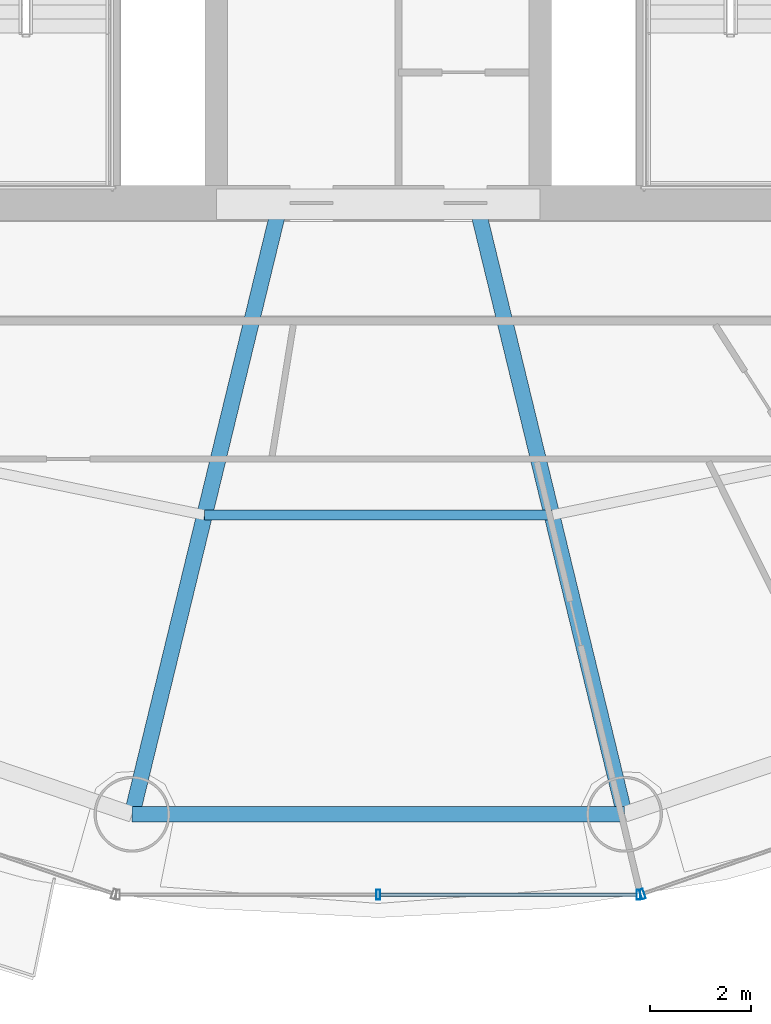
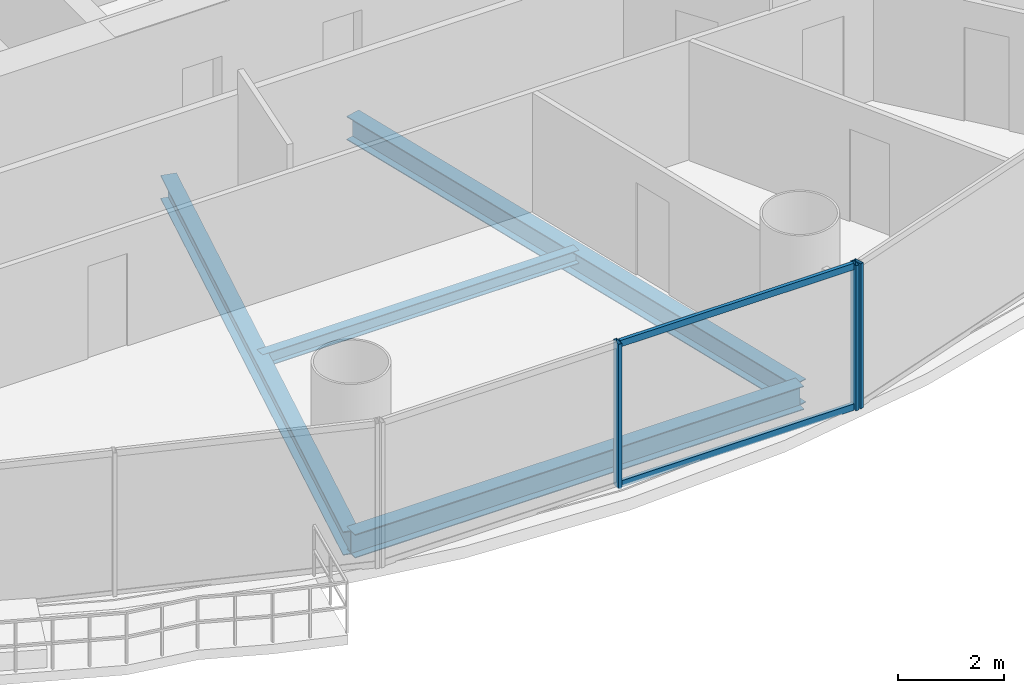
# One storey, part 5 of 29: 5 members, 4 beams, 2 elements without a shape of their own.
"""IFC4 building model written with IfcOpenShell, lengths in metres."""

from ifc_helpers import new_model, si_unit, direction, frame, origin, origin_2d, place, context, subcontext, project, spatial, hollow_rectangle, i_section, extrude, source, transform, mapped, material, material_profile, profile_set, type_object, element, aggregate, save


model = new_model("IFC4")

# Units and contexts
model_context = context("Model", 3, precision=1e-05, world=origin(), true_north=direction((-0.2419218956, 0.970295726276)))
body_context = subcontext(model_context, "Body", "Model", "MODEL_VIEW")
ifc_project = project(units=[si_unit("LENGTHUNIT", "METRE"), si_unit("AREAUNIT", "SQUARE_METRE"), si_unit("VOLUMEUNIT", "CUBIC_METRE"), si_unit("PLANEANGLEUNIT", "RADIAN"), si_unit("MASSUNIT", "GRAM", prefix="KILO")], contexts=[model_context])

# Site, building, storey
site_placement = place(None, origin())
site = spatial("IfcSite", under=ifc_project, at=site_placement, CompositionType="ELEMENT")
building_placement = place(site_placement, origin())
building = spatial("IfcBuilding", under=site, at=building_placement, Name="Cobrevalo Terracotta Tower", CompositionType="ELEMENT")
storey_placement = place(building_placement, frame((0.0, 0.0, 115.800048828125)))
storey = spatial("IfcBuildingStorey", under=building, at=storey_placement, Name="L30", CompositionType="ELEMENT", Elevation=115.800048828125)

# Beams
ifc_material_1 = material(Name="Steel S355", Category="steel")
ifc_material_profile_1 = material_profile(ifc_material_1, i_section(OverallWidth=0.31201171875, OverallDepth=0.54296875, WebThickness=0.0126953125, FlangeThickness=0.020263671875, at=origin_2d()), Name="W 530x150")
ifc_profile_set_1 = profile_set([ifc_material_profile_1], Name="Steel S355")
beam_type_1 = type_object("IfcBeamType", Name="Structural Beam W 530x150 (Steel S355)", PredefinedType="BEAM", material=ifc_profile_set_1)
for number, where, z_axis, x_axis, name in (
    (1, (33.132568359375, 6.742919921875, -0.546630859375), (0.235827379387, 0.971794961467, 0.0), (-0.971794961467, 0.235827379387, 0.0), "L30 radial floor girder 12"),
    (2, (42.867431640625, 6.742919921875, -0.546630859375), (-0.235827379387, 0.971794961467, 0.0), (-0.971794961467, -0.235827379387, 0.0), "L30 radial floor girder 13"),
):
    element("IfcBeam", number, at=place(storey_placement, frame(where, z_axis=z_axis, x_axis=x_axis)), inside=storey, type_object=beam_type_1, Name=name, PredefinedType="BEAM", context=body_context, shape_type="SweptSolid", body=[
        extrude(i_section(OverallWidth=0.31201171875, OverallDepth=0.54296875, WebThickness=0.0126953125, FlangeThickness=0.020263671875, at=origin_2d()), origin(), (0.0, 0.0, 1.0), 12.17041015625),
    ])
ifc_material_profile_2 = material_profile(ifc_material_1, i_section(OverallWidth=0.2041015625, OverallDepth=0.305908203125, WebThickness=0.008544921875, FlangeThickness=0.0146484375, at=origin_2d()), Name="W 310x67")
ifc_profile_set_2 = profile_set([ifc_material_profile_2], Name="Steel S355")
beam_type_2 = type_object("IfcBeamType", Name="Structural Joist W 310x67 (Steel S355)", PredefinedType="JOIST", material=ifc_profile_set_2)
beam_1_placement = place(storey_placement, frame((34.567626953125, 12.656494140625, -0.427978515625), z_axis=(1.0, 0.0, 0.0), x_axis=(0.0, 1.0, 0.0)))
element("IfcBeam", 3, at=beam_1_placement, inside=storey, type_object=beam_type_2, Name="L30 circumferential secondary floor joist 12", PredefinedType="JOIST", context=body_context, shape_type="SweptSolid", body=[
    extrude(i_section(OverallWidth=0.2041015625, OverallDepth=0.305908203125, WebThickness=0.008544921875, FlangeThickness=0.0146484375, at=origin_2d()), origin(), (0.0, 0.0, 1.0), 6.86474609375),
])
ifc_material_profile_3 = material_profile(ifc_material_1, i_section(OverallWidth=0.31201171875, OverallDepth=0.54296875, WebThickness=0.0126953125, FlangeThickness=0.020263671875, at=origin_2d()), Name="W 530x150")
ifc_profile_set_3 = profile_set([ifc_material_profile_3], Name="Steel S355")
beam_type_3 = type_object("IfcBeamType", Name="Structural Spandrel W 530x150 (Steel S355)", PredefinedType="SPANDREL", material=ifc_profile_set_3)
beam_2_placement = place(storey_placement, frame((33.132568359375, 6.742919921875, -0.546630859375), z_axis=(1.0, 0.0, 0.0), x_axis=(0.0, 1.0, 0.0)))
element("IfcBeam", 4, at=beam_2_placement, inside=storey, type_object=beam_type_3, Name="L30 perimeter ring spandrel 12", PredefinedType="SPANDREL", context=body_context, shape_type="SweptSolid", body=[
    extrude(i_section(OverallWidth=0.31201171875, OverallDepth=0.54296875, WebThickness=0.0126953125, FlangeThickness=0.020263671875, at=origin_2d()), origin(), (0.0, 0.0, 1.0), 9.73486328125),
])

# Curtain wall, members
ifc_material_2 = material(Name="Anodized aluminium", Category="aluminium")
curtain_wall_type = type_object("IfcCurtainWallType", Name="Lower-tower unitised acoustic low-E curtain wall CW-U1", PredefinedType="NOTDEFINED", material=ifc_material_2)
curtain_wall_1_placement = place(storey_placement, origin())
curtain_wall_1 = element("IfcCurtainWall", 5, at=curtain_wall_1_placement, inside=storey, type_object=curtain_wall_type, Name="L30 curtain wall CW-L30-S12", PredefinedType="NOTDEFINED")
ifc_material_profile_4 = material_profile(ifc_material_2, hollow_rectangle(XDim=0.074951171875, YDim=0.199951171875, WallThickness=0.0048828125, at=origin_2d()), Name="CWM 75x200")
ifc_profile_set_4 = profile_set([ifc_material_profile_4], Name="Anodized aluminium")
member_type_1 = type_object("IfcMemberType", Name="Lower/mid tower unitised mullion 75x200", PredefinedType="MULLION", material=ifc_profile_set_4)
shared_shape_1 = source(origin(), body_context, "Body", "SweptSolid", [
    extrude(hollow_rectangle(XDim=0.074951171875, YDim=0.199951171875, WallThickness=0.0048828125, at=origin_2d()), origin(), (0.0, 0.0, 1.0), 3.324951171875),
])
member_1_placement = place(storey_placement, frame((38.0, 5.154052734375, 0.0), z_axis=(0.0, 0.0, 1.0), x_axis=(1.0, 0.0, 0.0)))
member_1 = element("IfcMember", 6, at=member_1_placement, type_object=member_type_1, Name="CW-L30-S12 vertical mullion 02", PredefinedType="MULLION", context=body_context, shape_type="MappedRepresentation", body=[
    mapped(shared_shape_1, transform((0.0, 0.0, 0.0), scale=1.0)),
])
member_2_placement = place(storey_placement, frame((43.1435546875, 5.154052734375, 0.0), z_axis=(0.0, 0.0, 1.0), x_axis=(1.0, 0.0, 0.0)))
member_2 = element("IfcMember", 7, at=member_2_placement, type_object=member_type_1, Name="CW-L30-S12 vertical mullion 03", PredefinedType="MULLION", context=body_context, shape_type="MappedRepresentation", body=[
    mapped(shared_shape_1, transform((0.0, 0.0, 0.0), scale=1.0)),
])

# Curtain wall, member
curtain_wall_2_placement = place(storey_placement, origin())
curtain_wall_2 = element("IfcCurtainWall", 8, at=curtain_wall_2_placement, inside=storey, type_object=curtain_wall_type, Name="L30 curtain wall CW-L30-S13", PredefinedType="NOTDEFINED")
member_3_placement = place(storey_placement, frame((43.221435546875, 5.1669921875, 0.0), z_axis=(0.0, 0.0, 1.0), x_axis=(0.94559809868, 0.325337110968, 0.0)))
member_3 = element("IfcMember", 9, at=member_3_placement, type_object=member_type_1, Name="CW-L30-S13 vertical mullion 01", PredefinedType="MULLION", context=body_context, shape_type="MappedRepresentation", body=[
    mapped(shared_shape_1, transform((0.0, 0.0, 0.0), scale=1.0)),
])
aggregate(curtain_wall_2, [member_3])

# Member
ifc_material_profile_5 = material_profile(ifc_material_2, hollow_rectangle(XDim=0.074951171875, YDim=0.14990234375, WallThickness=0.00439453125, at=origin_2d()), Name="CWT 75x150")
ifc_profile_set_5 = profile_set([ifc_material_profile_5], Name="Anodized aluminium")
member_type_2 = type_object("IfcMemberType", Name="Tower unitised aluminium transom 75x150", PredefinedType="USERDEFINED", material=ifc_profile_set_5)
shared_shape_2 = source(origin(), body_context, "Body", "SweptSolid", [
    extrude(hollow_rectangle(XDim=0.074951171875, YDim=0.14990234375, WallThickness=0.00439453125, at=origin_2d()), origin(), (0.0, 0.0, 1.0), 5.0634765625),
])
member_4_placement = place(storey_placement, frame((38.0400390625, 5.154052734375, 0.050048828125), z_axis=(1.0, 0.0, 0.0), x_axis=(0.0, 1.0, 0.0)))
member_4 = element("IfcMember", 10, at=member_4_placement, type_object=member_type_2, Name="CW-L30-S12 transom B02-T1", ObjectType="TRANSOM", PredefinedType="USERDEFINED", context=body_context, shape_type="MappedRepresentation", body=[
    mapped(shared_shape_2, transform((0.0, 0.0, 0.0), scale=1.0)),
])

member_5_placement = place(storey_placement, frame((38.0400390625, 5.154052734375, 3.27490234375), z_axis=(1.0, 0.0, 0.0), x_axis=(0.0, 1.0, 0.0)))
member_5 = element("IfcMember", 11, at=member_5_placement, type_object=member_type_2, Name="CW-L30-S12 transom B02-T2", ObjectType="TRANSOM", PredefinedType="USERDEFINED", context=body_context, shape_type="MappedRepresentation", body=[
    mapped(shared_shape_2, transform((0.0, 0.0, 0.0), scale=1.0)),
])

aggregate(curtain_wall_1, [member_1, member_2, member_4, member_5])

save(model, "model.ifc")
